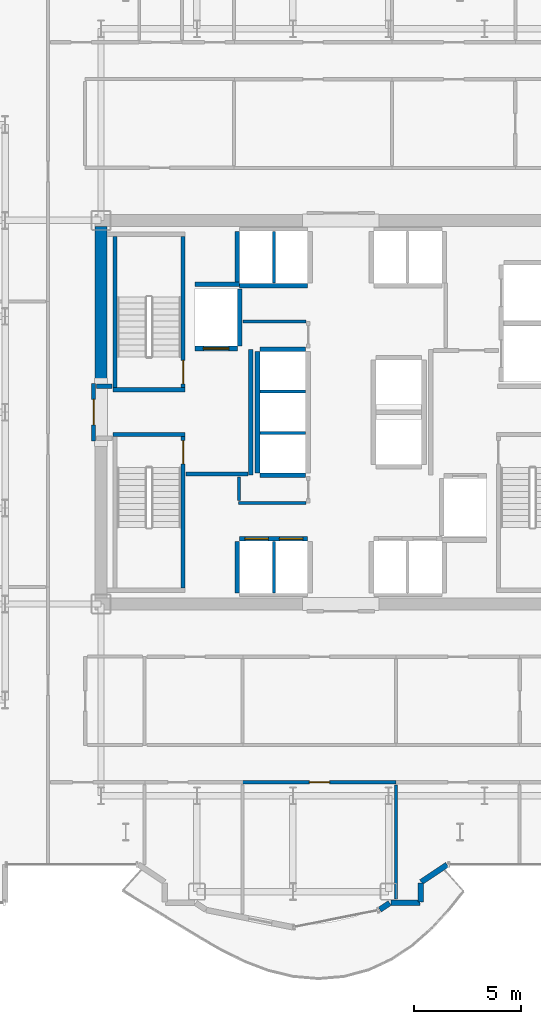
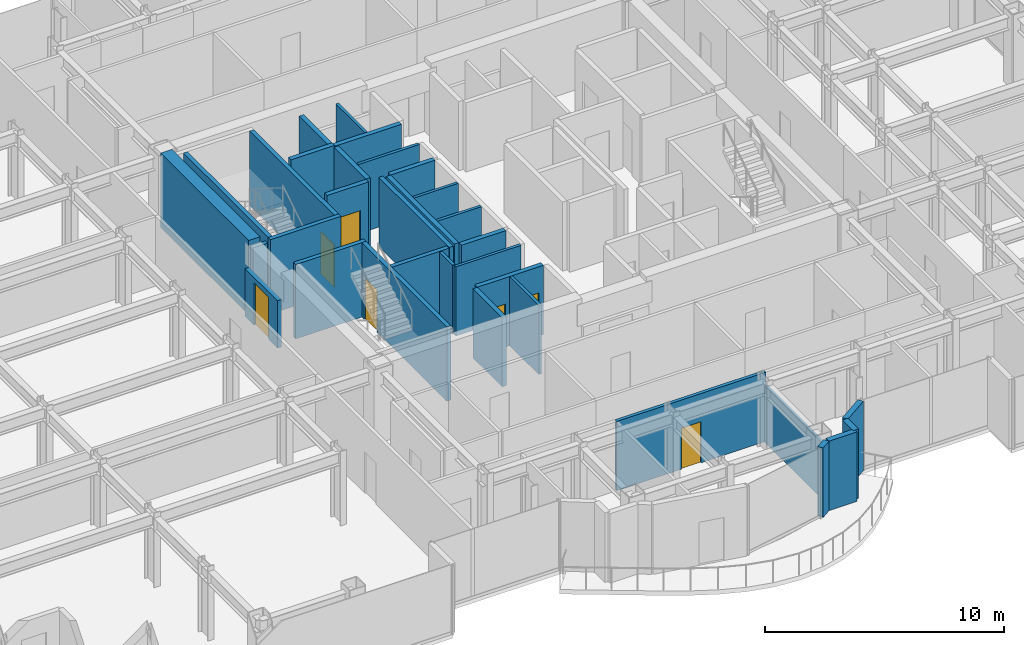
# One storey, part 20 of 27: 33 walls, 7 doors, 7 openings.
"""IFC4 building model written with IfcOpenShell, lengths in metres."""

from ifc_helpers import new_model, si_unit, direction, frame, frame_2d, origin, place, context, subcontext, project, spatial, rectangle, extrude, source, transform, mapped, material, layer, layer_set, type_object, element, fill, save


model = new_model("IFC4")

# Units and contexts
model_context = context("Model", 3, precision=1e-05, world=origin(), true_north=direction((0.0, 1.0)))
body_context = subcontext(model_context, "Body", "Model", "MODEL_VIEW")
ifc_project = project(units=[si_unit("LENGTHUNIT", "METRE"), si_unit("AREAUNIT", "SQUARE_METRE"), si_unit("VOLUMEUNIT", "CUBIC_METRE"), si_unit("PLANEANGLEUNIT", "RADIAN"), si_unit("MASSUNIT", "GRAM", prefix="KILO")], contexts=[model_context])

# Site, building, storey
site_placement = place(None, origin())
site = spatial("IfcSite", under=ifc_project, at=site_placement, CompositionType="ELEMENT")
building_placement = place(site_placement, origin())
building = spatial("IfcBuilding", under=site, at=building_placement, Name="Nefas-Gora Pilgrimage Tower", CompositionType="ELEMENT")
storey_placement = place(building_placement, frame((0.0, 0.0, 148.800048828125)))
storey = spatial("IfcBuildingStorey", under=building, at=storey_placement, Name="L36", CompositionType="ELEMENT", Elevation=148.800048828125)

# Walls
ifc_material_1 = material(Name="Concrete C60/75", Category="concrete")
ifc_layer_1 = layer(ifc_material_1, 0.550048828125)
ifc_layer_set_1 = layer_set([ifc_layer_1], Name="Concrete C60/75")
wall_type_1 = type_object("IfcWallType", Name="SW-CORE-550", PredefinedType="SHEAR", material=ifc_layer_set_1)
shared_shape_1 = source(origin(), body_context, "Body", "SweptSolid", [
    extrude(rectangle(XDim=7.375, YDim=0.550048828125, at=frame_2d((3.6875, 0.0))), origin(), (0.0, 0.0, 1.0), 3.800048828125),
])
wall_1_placement = place(storey_placement, frame((-11.25, 1.35009765625, 0.0), z_axis=(0.0, 0.0, 1.0), x_axis=(0.0, 1.0, 0.0)))
element("IfcWall", 1, at=wall_1_placement, inside=storey, type_object=wall_type_1, Name="L36 Core Shear Wall W-North", PredefinedType="SHEAR", context=body_context, shape_type="MappedRepresentation", body=[
    mapped(shared_shape_1, transform((0.0, 0.0, 0.0), x_axis=(1.0, 0.0, 0.0), y_axis=(0.0, 1.0, 0.0), z_axis=(0.0, 0.0, 1.0), scale=1.0)),
])
ifc_material_2 = material(Name="Precast concrete C40/50", Category="concrete")
ifc_layer_2 = layer(ifc_material_2, 0.260009765625)
ifc_layer_set_2 = layer_set([ifc_layer_2], Name="Precast concrete C40/50")
wall_type_2 = type_object("IfcWallType", Name="EW-PORTAL-260", PredefinedType="SOLIDWALL", material=ifc_layer_set_2)
shared_shape_2 = source(origin(), body_context, "Body", "SweptSolid", [
    extrude(rectangle(XDim=1.468994140625, YDim=0.260009765625, at=frame_2d((0.734375, 0.0))), origin(), (0.0, 0.0, 1.0), 3.550048828125),
])
wall_2_placement = place(storey_placement, frame((3.773193359375, -22.0517578125, 0.0), z_axis=(0.0, 0.0, 1.0), x_axis=(0.831461760506, 0.555581983884, 0.0)))
element("IfcWall", 2, at=wall_2_placement, inside=storey, type_object=wall_type_2, Name="L36 Lobe Shoulder Precast Spandrel Pier 42", PredefinedType="SOLIDWALL", context=body_context, shape_type="MappedRepresentation", body=[
    mapped(shared_shape_2, transform((0.0, 0.0, 0.0), x_axis=(1.0, 0.0, 0.0), y_axis=(0.0, 1.0, 0.0), z_axis=(0.0, 0.0, 1.0), scale=1.0)),
])
shared_shape_3 = source(origin(), body_context, "Body", "SweptSolid", [
    extrude(rectangle(XDim=0.896728515625, YDim=0.260009765625, at=frame_2d((0.4482421875, 0.0))), origin(), (0.0, 0.0, 1.0), 3.550048828125),
])
wall_3_placement = place(storey_placement, frame((3.75, -22.991943359375, 0.0), z_axis=(0.0, 0.0, 1.0), x_axis=(0.0, 1.0, 0.0)))
element("IfcWall", 3, at=wall_3_placement, inside=storey, type_object=wall_type_2, Name="L36 Lobe Shoulder Precast Spandrel Pier 41", PredefinedType="SOLIDWALL", context=body_context, shape_type="MappedRepresentation", body=[
    mapped(shared_shape_3, transform((0.0, 0.0, 0.0), x_axis=(1.0, 0.0, 0.0), y_axis=(0.0, 1.0, 0.0), z_axis=(0.0, 0.0, 1.0), scale=1.0)),
])
shared_shape_4 = source(origin(), body_context, "Body", "SweptSolid", [
    extrude(rectangle(XDim=1.369873046875, YDim=0.260009765625, at=frame_2d((0.68505859375, 0.0))), origin(), (0.0, 0.0, 1.0), 3.550048828125),
])
wall_4_placement = place(storey_placement, frame((2.35205078125, -23.02001953125, 0.0), z_axis=(0.0, 0.0, 1.0), x_axis=(1.0, 0.0, 0.0)))
element("IfcWall", 4, at=wall_4_placement, inside=storey, type_object=wall_type_2, Name="L36 Lobe Shoulder Precast Spandrel Pier 40", PredefinedType="SOLIDWALL", context=body_context, shape_type="MappedRepresentation", body=[
    mapped(shared_shape_4, transform((0.0, 0.0, 0.0), x_axis=(1.0, 0.0, 0.0), y_axis=(0.0, 1.0, 0.0), z_axis=(0.0, 0.0, 1.0), scale=1.0)),
])
shared_shape_5 = source(origin(), body_context, "Body", "SweptSolid", [
    extrude(rectangle(XDim=0.5654296875, YDim=0.260009765625, at=frame_2d((0.28271484375, 0.0))), origin(), (0.0, 0.0, 1.0), 3.550048828125),
])
wall_5_placement = place(storey_placement, frame((1.83056640625, -23.349609375, 0.0), z_axis=(0.0, 0.0, 1.0), x_axis=(0.831651492666, 0.555297933317, 0.0)))
element("IfcWall", 5, at=wall_5_placement, inside=storey, type_object=wall_type_2, Name="L36 Lobe Shoulder Precast Spandrel Pier 39", PredefinedType="SOLIDWALL", context=body_context, shape_type="MappedRepresentation", body=[
    mapped(shared_shape_5, transform((0.0, 0.0, 0.0), x_axis=(1.0, 0.0, 0.0), y_axis=(0.0, 1.0, 0.0), z_axis=(0.0, 0.0, 1.0), scale=1.0)),
])
ifc_material_3 = material(Name="Concrete C45/55", Category="concrete")
ifc_layer_3 = layer(ifc_material_3, 0.199951171875)
ifc_layer_set_3 = layer_set([ifc_layer_3], Name="Concrete C45/55")
wall_type_3 = type_object("IfcWallType", Name="IW-STAIR-200", PredefinedType="SOLIDWALL", material=ifc_layer_set_3)
shared_shape_6 = source(origin(), body_context, "Body", "SweptSolid", [
    extrude(rectangle(XDim=3.39990234375, YDim=0.199951171875, at=frame_2d((1.699951171875, 0.0))), origin(), (0.0, 0.0, 1.0), 3.800048828125),
])
for number, where, z_axis, x_axis, name in (
    (6, (-7.300048828125, 1.050048828125, 0.0), (0.0, 0.0, 1.0), (-1.0, 0.0, 0.0), "L36 Stairwell Shear Wall ST-01-near"),
    (7, (-10.699951171875, -1.050048828125, 0.0), (0.0, 0.0, 1.0), (1.0, 0.0, 0.0), "L36 Stairwell Shear Wall ST-03-near"),
):
    element("IfcWall", number, at=place(storey_placement, frame(where, z_axis=z_axis, x_axis=x_axis)), inside=storey, type_object=wall_type_3, Name=name, PredefinedType="SOLIDWALL", context=body_context, shape_type="MappedRepresentation", body=[
        mapped(shared_shape_6, transform((0.0, 0.0, 0.0), x_axis=(1.0, 0.0, 0.0), y_axis=(0.0, 1.0, 0.0), z_axis=(0.0, 0.0, 1.0), scale=1.0)),
    ])

# Wall, opening, door
shared_shape_7 = source(origin(), body_context, "Body", "SweptSolid", [
    extrude(rectangle(XDim=7.10009765625, YDim=0.199951171875, at=frame_2d((3.550048828125, 0.0))), origin(), (0.0, 0.0, 1.0), 3.800048828125),
])
wall_6_placement = place(storey_placement, frame((-7.39990234375, 1.14990234375, 0.0), z_axis=(0.0, 0.0, 1.0), x_axis=(0.0, 1.0, 0.0)))
wall_6 = element("IfcWall", 8, at=wall_6_placement, inside=storey, type_object=wall_type_3, Name="L36 Stairwell Shear Wall ST-01-left", PredefinedType="SOLIDWALL", context=body_context, shape_type="MappedRepresentation", body=[
    mapped(shared_shape_7, transform((0.0, 0.0, 0.0), x_axis=(1.0, 0.0, 0.0), y_axis=(0.0, 1.0, 0.0), z_axis=(0.0, 0.0, 1.0), scale=1.0)),
])
opening_1_placement = place(wall_6_placement, frame((0.179931640625, 0.0, 0.0)))
opening_1 = element("IfcOpeningElement", 9, at=opening_1_placement, cuts=wall_6, Name="Opening ID-ST1", PredefinedType="OPENING", context=body_context, shape_type="SweptSolid", body=[
    extrude(rectangle(XDim=1.10009765625, YDim=2.14990234375, at=frame_2d((0.550048828125, 1.074951171875))), frame((0.0, 0.10986328125, 0.0), z_axis=(0.0, -1.0, 0.0), x_axis=(1.0, 0.0, 0.0)), (0.0, 0.0, 1.0), 0.219970703125),
])
ifc_material_4 = material(Name="Painted galvanised steel fire stair door", Category="steel")
door_type_1 = type_object("IfcDoorType", Name="DR-INT-STAIR-1100", OperationType="NOTDEFINED", PredefinedType="DOOR", material=ifc_material_4)
shared_shape_8 = source(origin(), body_context, "Body", "SweptSolid", [
    extrude(rectangle(XDim=1.10009765625, YDim=2.14990234375, at=frame_2d((0.550048828125, 1.074951171875))), frame((0.0, 0.02490234375, 0.0), z_axis=(0.0, -1.0, 0.0), x_axis=(1.0, 0.0, 0.0)), (0.0, 0.0, 1.0), 0.050048828125),
])
door_1_placement = place(opening_1_placement, origin())
door_1 = element("IfcDoor", 10, at=door_1_placement, inside=storey, type_object=door_type_1, Name="L36 Protected Exit Stair Door ST-01", OperationType="SINGLE_SWING_RIGHT", OverallHeight=2.14990234375, OverallWidth=1.10009765625, PredefinedType="DOOR", context=body_context, shape_type="MappedRepresentation", body=[
    mapped(shared_shape_8, transform((0.0, 0.0, 0.0), x_axis=(1.0, 0.0, 0.0), y_axis=(0.0, 1.0, 0.0), z_axis=(0.0, 0.0, 1.0), scale=1.0)),
])
fill(opening_1, door_1)

# Wall
wall_7_placement = place(storey_placement, frame((-10.60009765625, 1.14990234375, 0.0), z_axis=(0.0, 0.0, 1.0), x_axis=(0.0, 1.0, 0.0)))
element("IfcWall", 11, at=wall_7_placement, inside=storey, type_object=wall_type_3, Name="L36 Stairwell Shear Wall ST-01-right", PredefinedType="SOLIDWALL", context=body_context, shape_type="MappedRepresentation", body=[
    mapped(shared_shape_7, transform((0.0, 0.0, 0.0), x_axis=(1.0, 0.0, 0.0), y_axis=(0.0, 1.0, 0.0), z_axis=(0.0, 0.0, 1.0), scale=1.0)),
])

# Wall, opening, door
wall_8_placement = place(storey_placement, frame((-7.39990234375, -1.14990234375, 0.0), z_axis=(0.0, 0.0, 1.0), x_axis=(0.0, -1.0, 0.0)))
wall_8 = element("IfcWall", 12, at=wall_8_placement, inside=storey, type_object=wall_type_3, Name="L36 Stairwell Shear Wall ST-03-right", PredefinedType="SOLIDWALL", context=body_context, shape_type="MappedRepresentation", body=[
    mapped(shared_shape_7, transform((0.0, 0.0, 0.0), x_axis=(1.0, 0.0, 0.0), y_axis=(0.0, 1.0, 0.0), z_axis=(0.0, 0.0, 1.0), scale=1.0)),
])
opening_2_placement = place(wall_8_placement, frame((0.179931640625, 0.0, 0.0)))
opening_2 = element("IfcOpeningElement", 13, at=opening_2_placement, cuts=wall_8, Name="Opening ID-ST1", PredefinedType="OPENING", context=body_context, shape_type="SweptSolid", body=[
    extrude(rectangle(XDim=1.10009765625, YDim=2.14990234375, at=frame_2d((0.550048828125, 1.074951171875))), frame((0.0, 0.10986328125, 0.0), z_axis=(0.0, -1.0, 0.0), x_axis=(1.0, 0.0, 0.0)), (0.0, 0.0, 1.0), 0.219970703125),
])
door_2_placement = place(opening_2_placement, origin())
door_2 = element("IfcDoor", 14, at=door_2_placement, inside=storey, type_object=door_type_1, Name="L36 Protected Exit Stair Door ST-03", OperationType="SINGLE_SWING_RIGHT", OverallHeight=2.14990234375, OverallWidth=1.10009765625, PredefinedType="DOOR", context=body_context, shape_type="MappedRepresentation", body=[
    mapped(shared_shape_8, transform((0.0, 0.0, 0.0), x_axis=(1.0, 0.0, 0.0), y_axis=(0.0, 1.0, 0.0), z_axis=(0.0, 0.0, 1.0), scale=1.0)),
])
fill(opening_2, door_2)

ifc_material_5 = material(Name="Concrete C40/50", Category="concrete")
ifc_layer_4 = layer(ifc_material_5, 0.219970703125)
ifc_layer_set_4 = layer_set([ifc_layer_4], Name="Concrete C40/50")
wall_type_4 = type_object("IfcWallType", Name="IW-SHAFT-220", PredefinedType="SOLIDWALL", material=ifc_layer_set_4)
shared_shape_9 = source(origin(), body_context, "Body", "SweptSolid", [
    extrude(rectangle(XDim=2.0, YDim=0.219970703125, at=frame_2d((1.0, 0.0))), origin(), (0.0, 0.0, 1.0), 3.534912109375),
])
wall_9_placement = place(storey_placement, frame((-6.85009765625, 2.989990234375, 0.0), z_axis=(0.0, 0.0, 1.0), x_axis=(1.0, 0.0, 0.0)))
wall_9 = element("IfcWall", 15, at=wall_9_placement, inside=storey, type_object=wall_type_4, Name="L36 Hoistway Wall FFL-01-S", PredefinedType="SOLIDWALL", context=body_context, shape_type="MappedRepresentation", body=[
    mapped(shared_shape_9, transform((0.0, 0.0, 0.0), x_axis=(1.0, 0.0, 0.0), y_axis=(0.0, 1.0, 0.0), z_axis=(0.0, 0.0, 1.0), scale=1.0)),
])
opening_3_placement = place(wall_9_placement, frame((0.39990234375, 0.0, 0.0)))
opening_3 = element("IfcOpeningElement", 16, at=opening_3_placement, cuts=wall_9, Name="Opening LD-FF", PredefinedType="OPENING", context=body_context, shape_type="SweptSolid", body=[
    extrude(rectangle(XDim=1.199951171875, YDim=2.199951171875, at=frame_2d((0.60009765625, 1.10009765625))), frame((0.0, 0.119873046875, 0.0), z_axis=(0.0, -1.0, 0.0), x_axis=(1.0, 0.0, 0.0)), (0.0, 0.0, 1.0), 0.239990234375),
])
ifc_material_6 = material(Name="Fire-service sliding lift landing door")
door_type_2 = type_object("IfcDoorType", Name="DR-LIFT-FSAE-1200", OperationType="SLIDING_TO_LEFT", PredefinedType="DOOR", material=ifc_material_6)
shared_shape_10 = source(origin(), body_context, "Body", "SweptSolid", [
    extrude(rectangle(XDim=1.199951171875, YDim=2.199951171875, at=frame_2d((0.60009765625, 1.10009765625))), frame((0.0, 0.02490234375, 0.0), z_axis=(0.0, -1.0, 0.0), x_axis=(1.0, 0.0, 0.0)), (0.0, 0.0, 1.0), 0.050048828125),
])
door_3_placement = place(opening_3_placement, origin())
door_3 = element("IfcDoor", 17, at=door_3_placement, inside=storey, type_object=door_type_2, Name="L36 Sliding Lift Landing Door FFL-01", OperationType="SLIDING_TO_LEFT", OverallHeight=2.199951171875, OverallWidth=1.199951171875, PredefinedType="DOOR", context=body_context, shape_type="MappedRepresentation", body=[
    mapped(shared_shape_10, transform((0.0, 0.0, 0.0), x_axis=(1.0, 0.0, 0.0), y_axis=(0.0, 1.0, 0.0), z_axis=(0.0, 0.0, 1.0), scale=1.0)),
])
fill(opening_3, door_3)

# Walls
shared_shape_11 = source(origin(), body_context, "Body", "SweptSolid", [
    extrude(rectangle(XDim=2.679931640625, YDim=0.219970703125, at=frame_2d((1.33984375, 0.0))), origin(), (0.0, 0.0, 1.0), 3.534912109375),
])
wall_10_placement = place(storey_placement, frame((-4.739990234375, 3.110107421875, 0.0), z_axis=(0.0, 0.0, 1.0), x_axis=(0.0, 1.0, 0.0)))
element("IfcWall", 18, at=wall_10_placement, inside=storey, type_object=wall_type_4, Name="L36 Hoistway Wall FFL-01-E", PredefinedType="SOLIDWALL", context=body_context, shape_type="MappedRepresentation", body=[
    mapped(shared_shape_11, transform((0.0, 0.0, 0.0), x_axis=(1.0, 0.0, 0.0), y_axis=(0.0, 1.0, 0.0), z_axis=(0.0, 0.0, 1.0), scale=1.0)),
])
shared_shape_12 = source(origin(), body_context, "Body", "SweptSolid", [
    extrude(rectangle(XDim=3.199951171875, YDim=0.219970703125, at=frame_2d((1.60009765625, 0.0))), origin(), (0.0, 0.0, 1.0), 3.534912109375),
])
wall_11_placement = place(storey_placement, frame((-4.75, 5.93994140625, 0.0), z_axis=(0.0, 0.0, 1.0), x_axis=(1.0, 0.0, 0.0)))
element("IfcWall", 19, at=wall_11_placement, inside=storey, type_object=wall_type_4, Name="L36 Hoistway Wall PL1-W-S", PredefinedType="SOLIDWALL", context=body_context, shape_type="MappedRepresentation", body=[
    mapped(shared_shape_12, transform((0.0, 0.0, 0.0), x_axis=(1.0, 0.0, 0.0), y_axis=(0.0, 1.0, 0.0), z_axis=(0.0, 0.0, 1.0), scale=1.0)),
])

# Wall, openings, doors
wall_12_placement = place(storey_placement, frame((-1.550048828125, -5.93994140625, 0.0), z_axis=(0.0, 0.0, 1.0), x_axis=(-1.0, 0.0, 0.0)))
wall_12 = element("IfcWall", 20, at=wall_12_placement, inside=storey, type_object=wall_type_4, Name="L36 Hoistway Wall PL2-W-N", PredefinedType="SOLIDWALL", context=body_context, shape_type="MappedRepresentation", body=[
    mapped(shared_shape_12, transform((0.0, 0.0, 0.0), x_axis=(1.0, 0.0, 0.0), y_axis=(0.0, 1.0, 0.0), z_axis=(0.0, 0.0, 1.0), scale=1.0)),
])
opening_4_placement = place(wall_12_placement, frame((1.85009765625, 0.0, 0.0)))
opening_4 = element("IfcOpeningElement", 21, at=opening_4_placement, cuts=wall_12, Name="Opening LD-01", PredefinedType="OPENING", context=body_context, shape_type="SweptSolid", body=[
    extrude(rectangle(XDim=1.10009765625, YDim=2.199951171875, at=frame_2d((0.550048828125, 1.10009765625))), frame((0.0, 0.119873046875, 0.0), z_axis=(0.0, -1.0, 0.0), x_axis=(1.0, 0.0, 0.0)), (0.0, 0.0, 1.0), 0.239990234375),
])
opening_5_placement = place(wall_12_placement, frame((0.22509765625, 0.0, 0.0)))
opening_5 = element("IfcOpeningElement", 22, at=opening_5_placement, cuts=wall_12, Name="Opening LD-01", PredefinedType="OPENING", context=body_context, shape_type="SweptSolid", body=[
    extrude(rectangle(XDim=1.10009765625, YDim=2.199951171875, at=frame_2d((0.550048828125, 1.10009765625))), frame((0.0, 0.119873046875, 0.0), z_axis=(0.0, -1.0, 0.0), x_axis=(1.0, 0.0, 0.0)), (0.0, 0.0, 1.0), 0.239990234375),
])
ifc_material_7 = material(Name="Brushed stainless sliding lift landing door")
door_type_3 = type_object("IfcDoorType", Name="DR-LIFT-PASS-1100", OperationType="DOUBLE_DOOR_SLIDING", PredefinedType="DOOR", material=ifc_material_7)
shared_shape_13 = source(origin(), body_context, "Body", "SweptSolid", [
    extrude(rectangle(XDim=1.10009765625, YDim=2.199951171875, at=frame_2d((0.550048828125, 1.10009765625))), frame((0.0, 0.02490234375, 0.0), z_axis=(0.0, -1.0, 0.0), x_axis=(1.0, 0.0, 0.0)), (0.0, 0.0, 1.0), 0.050048828125),
])
door_4_placement = place(opening_4_placement, origin())
door_4 = element("IfcDoor", 23, at=door_4_placement, inside=storey, type_object=door_type_3, Name="L36 Sliding Lift Landing Door PL2-01", OperationType="DOUBLE_DOOR_SLIDING", OverallHeight=2.199951171875, OverallWidth=1.10009765625, PredefinedType="DOOR", context=body_context, shape_type="MappedRepresentation", body=[
    mapped(shared_shape_13, transform((0.0, 0.0, 0.0), x_axis=(1.0, 0.0, 0.0), y_axis=(0.0, 1.0, 0.0), z_axis=(0.0, 0.0, 1.0), scale=1.0)),
])
fill(opening_4, door_4)
door_5_placement = place(opening_5_placement, origin())
door_5 = element("IfcDoor", 24, at=door_5_placement, inside=storey, type_object=door_type_3, Name="L36 Sliding Lift Landing Door PL2-02", OperationType="DOUBLE_DOOR_SLIDING", OverallHeight=2.199951171875, OverallWidth=1.10009765625, PredefinedType="DOOR", context=body_context, shape_type="MappedRepresentation", body=[
    mapped(shared_shape_13, transform((0.0, 0.0, 0.0), x_axis=(1.0, 0.0, 0.0), y_axis=(0.0, 1.0, 0.0), z_axis=(0.0, 0.0, 1.0), scale=1.0)),
])
fill(opening_5, door_5)

# Walls
shared_shape_14 = source(origin(), body_context, "Body", "SweptSolid", [
    extrude(rectangle(XDim=2.429931640625, YDim=0.219970703125, at=frame_2d((1.21484375, 0.0))), origin(), (0.0, 0.0, 1.0), 3.534912109375),
])
for number, where, z_axis, x_axis, name in (
    (25, (-4.860107421875, 8.489990234375, 0.0), (0.0, 0.0, 1.0), (0.0, -1.0, 0.0), "L36 Hoistway Wall PL1-W-W"),
    (26, (-4.860107421875, -6.06005859375, 0.0), (0.0, 0.0, 1.0), (0.0, -1.0, 0.0), "L36 Hoistway Wall PL2-W-W"),
):
    element("IfcWall", number, at=place(storey_placement, frame(where, z_axis=z_axis, x_axis=x_axis)), inside=storey, type_object=wall_type_4, Name=name, PredefinedType="SOLIDWALL", context=body_context, shape_type="MappedRepresentation", body=[
        mapped(shared_shape_14, transform((0.0, 0.0, 0.0), x_axis=(1.0, 0.0, 0.0), y_axis=(0.0, 1.0, 0.0), z_axis=(0.0, 0.0, 1.0), scale=1.0)),
    ])
ifc_material_8 = material(Name="Gypsum twin-stud partition")
ifc_layer_5 = layer(ifc_material_8, 0.139892578125)
ifc_layer_set_5 = layer_set([ifc_layer_5], Name="Gypsum twin-stud partition")
wall_type_5 = type_object("IfcWallType", Name="IW-UNIT-140", PredefinedType="PARTITIONING", material=ifc_layer_set_5)
shared_shape_15 = source(origin(), body_context, "Body", "SweptSolid", [
    extrude(rectangle(XDim=2.429931640625, YDim=0.139892578125, at=frame_2d((1.21484375, 0.0))), origin(), (0.0, 0.0, 1.0), 3.534912109375),
])
for number, where, z_axis, x_axis, name in (
    (27, (-3.125, 6.06005859375, 0.0), (0.0, 0.0, 1.0), (0.0, 1.0, 0.0), "L36 Hoistway Wall PL1-W-DIV"),
    (28, (-3.125, -8.489990234375, 0.0), (0.0, 0.0, 1.0), (0.0, 1.0, 0.0), "L36 Hoistway Wall PL2-W-DIV"),
):
    element("IfcWall", number, at=place(storey_placement, frame(where, z_axis=z_axis, x_axis=x_axis)), inside=storey, type_object=wall_type_5, Name=name, PredefinedType="PARTITIONING", context=body_context, shape_type="MappedRepresentation", body=[
        mapped(shared_shape_15, transform((0.0, 0.0, 0.0), x_axis=(1.0, 0.0, 0.0), y_axis=(0.0, 1.0, 0.0), z_axis=(0.0, 0.0, 1.0), scale=1.0)),
    ])
shared_shape_16 = source(origin(), body_context, "Body", "SweptSolid", [
    extrude(rectangle(XDim=5.7001953125, YDim=0.219970703125, at=frame_2d((2.85009765625, 0.0))), origin(), (0.0, 0.0, 1.0), 3.534912109375),
])
wall_13_placement = place(storey_placement, frame((-3.909912109375, 2.85009765625, 0.0), z_axis=(0.0, 0.0, 1.0), x_axis=(0.0, -1.0, 0.0)))
element("IfcWall", 29, at=wall_13_placement, inside=storey, type_object=wall_type_4, Name="L36 Hoistway Wall PL3-01-03-W", PredefinedType="SOLIDWALL", context=body_context, shape_type="MappedRepresentation", body=[
    mapped(shared_shape_16, transform((0.0, 0.0, 0.0), x_axis=(1.0, 0.0, 0.0), y_axis=(0.0, 1.0, 0.0), z_axis=(0.0, 0.0, 1.0), scale=1.0)),
])
shared_shape_17 = source(origin(), body_context, "Body", "SweptSolid", [
    extrude(rectangle(XDim=2.130126953125, YDim=0.219970703125, at=frame_2d((1.06494140625, 0.0))), origin(), (0.0, 0.0, 1.0), 3.534912109375),
])
for number, where, z_axis, x_axis, name in (
    (30, (-3.7900390625, -2.9599609375, 0.0), (0.0, 0.0, 1.0), (1.0, 0.0, 0.0), "L36 Hoistway Wall PL3-01-S"),
    (31, (-1.659912109375, 2.9599609375, 0.0), (0.0, 0.0, 1.0), (-1.0, 0.0, 0.0), "L36 Hoistway Wall PL3-03-N"),
):
    element("IfcWall", number, at=place(storey_placement, frame(where, z_axis=z_axis, x_axis=x_axis)), inside=storey, type_object=wall_type_4, Name=name, PredefinedType="SOLIDWALL", context=body_context, shape_type="MappedRepresentation", body=[
        mapped(shared_shape_17, transform((0.0, 0.0, 0.0), x_axis=(1.0, 0.0, 0.0), y_axis=(0.0, 1.0, 0.0), z_axis=(0.0, 0.0, 1.0), scale=1.0)),
    ])
shared_shape_18 = source(origin(), body_context, "Body", "SweptSolid", [
    extrude(rectangle(XDim=2.130126953125, YDim=0.139892578125, at=frame_2d((1.06494140625, 0.0))), origin(), (0.0, 0.0, 1.0), 3.534912109375),
])
for number, where, z_axis, x_axis, name in (
    (32, (-3.7900390625, -0.97509765625, 0.0), (0.0, 0.0, 1.0), (1.0, 0.0, 0.0), "L36 Hoistway Wall PL3-01-02-DIV"),
    (33, (-3.7900390625, 0.97509765625, 0.0), (0.0, 0.0, 1.0), (1.0, 0.0, 0.0), "L36 Hoistway Wall PL3-02-03-DIV"),
):
    element("IfcWall", number, at=place(storey_placement, frame(where, z_axis=z_axis, x_axis=x_axis)), inside=storey, type_object=wall_type_5, Name=name, PredefinedType="PARTITIONING", context=body_context, shape_type="MappedRepresentation", body=[
        mapped(shared_shape_18, transform((0.0, 0.0, 0.0), x_axis=(1.0, 0.0, 0.0), y_axis=(0.0, 1.0, 0.0), z_axis=(0.0, 0.0, 1.0), scale=1.0)),
    ])
shared_shape_19 = source(origin(), body_context, "Body", "SweptSolid", [
    extrude(rectangle(XDim=2.09521484375, YDim=0.219970703125, at=frame_2d((1.047607421875, 0.0))), origin(), (0.0, 0.0, 1.0), 3.534912109375),
])
wall_14_placement = place(storey_placement, frame((-6.85009765625, 6.0, 0.0), z_axis=(0.0, 0.0, 1.0), x_axis=(1.0, 0.0, 0.0)))
element("IfcWall", 34, at=wall_14_placement, inside=storey, type_object=wall_type_4, Name="L36 Riser Shaft Wall 1", PredefinedType="SOLIDWALL", context=body_context, shape_type="MappedRepresentation", body=[
    mapped(shared_shape_19, transform((0.0, 0.0, 0.0), x_axis=(1.0, 0.0, 0.0), y_axis=(0.0, 1.0, 0.0), z_axis=(0.0, 0.0, 1.0), scale=1.0)),
])

# Wall, opening, door
ifc_material_9 = material(Name="Gypsum fire-rated shaftwall")
ifc_layer_6 = layer(ifc_material_9, 0.199951171875)
ifc_layer_set_6 = layer_set([ifc_layer_6], Name="Gypsum fire-rated shaftwall")
wall_type_6 = type_object("IfcWallType", Name="IW-FFLOB-200", PredefinedType="PARTITIONING", material=ifc_layer_set_6)
shared_shape_20 = source(origin(), body_context, "Body", "SweptSolid", [
    extrude(rectangle(XDim=2.7001953125, YDim=0.199951171875, at=frame_2d((1.35009765625, 0.0))), origin(), (0.0, 0.0, 1.0), 2.425048828125),
])
wall_15_placement = place(storey_placement, frame((-11.60009765625, -1.35009765625, 0.0), z_axis=(0.0, 0.0, 1.0), x_axis=(0.0, 1.0, 0.0)))
wall_15 = element("IfcWall", 35, at=wall_15_placement, inside=storey, type_object=wall_type_6, Name="L36 FF Lobby West Portal Wall 3", PredefinedType="PARTITIONING", context=body_context, shape_type="MappedRepresentation", body=[
    mapped(shared_shape_20, transform((0.0, 0.0, 0.0), x_axis=(1.0, 0.0, 0.0), y_axis=(0.0, 1.0, 0.0), z_axis=(0.0, 0.0, 1.0), scale=1.0)),
])
opening_6_placement = place(wall_15_placement, frame((0.75, 0.0, 0.0)))
opening_6 = element("IfcOpeningElement", 36, at=opening_6_placement, cuts=wall_15, Name="Opening ID-FF1", PredefinedType="OPENING", context=body_context, shape_type="SweptSolid", body=[
    extrude(rectangle(XDim=1.199951171875, YDim=2.14990234375, at=frame_2d((0.60009765625, 1.074951171875))), frame((0.0, 0.10986328125, 0.0), z_axis=(0.0, -1.0, 0.0), x_axis=(1.0, 0.0, 0.0)), (0.0, 0.0, 1.0), 0.219970703125),
])
ifc_material_10 = material(Name="Smoke-sealed steel firefighting lobby door", Category="steel")
door_type_4 = type_object("IfcDoorType", Name="DR-INT-FFLOB-1200", OperationType="NOTDEFINED", PredefinedType="DOOR", material=ifc_material_10)
shared_shape_21 = source(origin(), body_context, "Body", "SweptSolid", [
    extrude(rectangle(XDim=1.199951171875, YDim=2.14990234375, at=frame_2d((0.60009765625, 1.074951171875))), frame((0.0, 0.02490234375, 0.0), z_axis=(0.0, -1.0, 0.0), x_axis=(1.0, 0.0, 0.0)), (0.0, 0.0, 1.0), 0.050048828125),
])
door_6_placement = place(opening_6_placement, origin())
door_6 = element("IfcDoor", 37, at=door_6_placement, inside=storey, type_object=door_type_4, Name="L36 FF Lobby West Portal Door 1", OperationType="SINGLE_SWING_LEFT", OverallHeight=2.14990234375, OverallWidth=1.199951171875, PredefinedType="DOOR", context=body_context, shape_type="MappedRepresentation", body=[
    mapped(shared_shape_21, transform((0.0, 0.0, 0.0), x_axis=(1.0, 0.0, 0.0), y_axis=(0.0, 1.0, 0.0), z_axis=(0.0, 0.0, 1.0), scale=1.0)),
])
fill(opening_6, door_6)

# Walls
shared_shape_22 = source(origin(), body_context, "Body", "SweptSolid", [
    extrude(rectangle(XDim=5.89990234375, YDim=0.199951171875, at=frame_2d((2.949951171875, 0.0))), origin(), (0.0, 0.0, 1.0), 3.534912109375),
])
wall_16_placement = place(storey_placement, frame((-4.219970703125, -2.949951171875, 0.0), z_axis=(0.0, 0.0, 1.0), x_axis=(0.0, 1.0, 0.0)))
element("IfcWall", 38, at=wall_16_placement, inside=storey, type_object=wall_type_6, Name="L36 FF Lobby West Inner Wall Wall 4", PredefinedType="PARTITIONING", context=body_context, shape_type="MappedRepresentation", body=[
    mapped(shared_shape_22, transform((0.0, 0.0, 0.0), x_axis=(1.0, 0.0, 0.0), y_axis=(0.0, 1.0, 0.0), z_axis=(0.0, 0.0, 1.0), scale=1.0)),
])
shared_shape_23 = source(origin(), body_context, "Body", "SweptSolid", [
    extrude(rectangle(XDim=2.89990234375, YDim=0.199951171875, at=frame_2d((1.449951171875, 0.0))), origin(), (0.0, 0.0, 1.0), 3.534912109375),
])
wall_17_placement = place(storey_placement, frame((-7.260009765625, -2.89990234375, 0.0), z_axis=(0.0, 0.0, 1.0), x_axis=(1.0, 0.0, 0.0)))
element("IfcWall", 39, at=wall_17_placement, inside=storey, type_object=wall_type_6, Name="L36 FF Lobby West South Wall Wall 5", PredefinedType="PARTITIONING", context=body_context, shape_type="MappedRepresentation", body=[
    mapped(shared_shape_23, transform((0.0, 0.0, 0.0), x_axis=(1.0, 0.0, 0.0), y_axis=(0.0, 1.0, 0.0), z_axis=(0.0, 0.0, 1.0), scale=1.0)),
])
shared_shape_24 = source(origin(), body_context, "Body", "SweptSolid", [
    extrude(rectangle(XDim=0.719970703125, YDim=0.199951171875, at=frame_2d((0.35986328125, 0.0))), origin(), (0.0, 0.0, 1.0), 3.534912109375),
])
wall_18_placement = place(storey_placement, frame((-11.4599609375, 1.219970703125, 0.0), z_axis=(0.0, 0.0, 1.0), x_axis=(1.0, 0.0, 0.0)))
element("IfcWall", 40, at=wall_18_placement, inside=storey, type_object=wall_type_6, Name="L36 FF Lobby West Throat N Wall 6", PredefinedType="PARTITIONING", context=body_context, shape_type="MappedRepresentation", body=[
    mapped(shared_shape_24, transform((0.0, 0.0, 0.0), x_axis=(1.0, 0.0, 0.0), y_axis=(0.0, 1.0, 0.0), z_axis=(0.0, 0.0, 1.0), scale=1.0)),
])
shared_shape_25 = source(origin(), body_context, "Body", "SweptSolid", [
    extrude(rectangle(XDim=2.9501953125, YDim=0.139892578125, at=frame_2d((1.47509765625, 0.0))), origin(), (0.0, 0.0, 1.0), 3.534912109375),
])
wall_19_placement = place(storey_placement, frame((-4.590087890625, 4.25, 0.0), z_axis=(0.0, 0.0, 1.0), x_axis=(1.0, 0.0, 0.0)))
element("IfcWall", 41, at=wall_19_placement, inside=storey, type_object=wall_type_5, Name="L36 Housekeeping and Linen Store Partition Wall 17", PredefinedType="PARTITIONING", context=body_context, shape_type="MappedRepresentation", body=[
    mapped(shared_shape_25, transform((0.0, 0.0, 0.0), x_axis=(1.0, 0.0, 0.0), y_axis=(0.0, 1.0, 0.0), z_axis=(0.0, 0.0, 1.0), scale=1.0)),
])
shared_shape_26 = source(origin(), body_context, "Body", "SweptSolid", [
    extrude(rectangle(XDim=3.150146484375, YDim=0.139892578125, at=frame_2d((1.5751953125, 0.0))), origin(), (0.0, 0.0, 1.0), 3.534912109375),
])
wall_20_placement = place(storey_placement, frame((-4.7900390625, -4.25, 0.0), z_axis=(0.0, 0.0, 1.0), x_axis=(1.0, 0.0, 0.0)))
element("IfcWall", 42, at=wall_20_placement, inside=storey, type_object=wall_type_5, Name="L36 Pilgrim Baggage and Gear Vault Partition Wall 19", PredefinedType="PARTITIONING", context=body_context, shape_type="MappedRepresentation", body=[
    mapped(shared_shape_26, transform((0.0, 0.0, 0.0), x_axis=(1.0, 0.0, 0.0), y_axis=(0.0, 1.0, 0.0), z_axis=(0.0, 0.0, 1.0), scale=1.0)),
])
shared_shape_27 = source(origin(), body_context, "Body", "SweptSolid", [
    extrude(rectangle(XDim=1.099853515625, YDim=0.139892578125, at=frame_2d((0.5498046875, 0.0))), origin(), (0.0, 0.0, 1.0), 3.534912109375),
])
wall_21_placement = place(storey_placement, frame((-4.780029296875, -4.139892578125, 0.0), z_axis=(0.0, 0.0, 1.0), x_axis=(0.0, 1.0, 0.0)))
element("IfcWall", 43, at=wall_21_placement, inside=storey, type_object=wall_type_5, Name="L36 Pilgrim Baggage and Gear Vault Partition Wall 20", PredefinedType="PARTITIONING", context=body_context, shape_type="MappedRepresentation", body=[
    mapped(shared_shape_27, transform((0.0, 0.0, 0.0), x_axis=(1.0, 0.0, 0.0), y_axis=(0.0, 1.0, 0.0), z_axis=(0.0, 0.0, 1.0), scale=1.0)),
])
shared_shape_28 = source(origin(), body_context, "Body", "SweptSolid", [
    extrude(rectangle(XDim=5.360107421875, YDim=0.139892578125, at=frame_2d((2.68017578125, 0.0))), origin(), (0.0, 0.0, 1.0), 2.875),
])
wall_22_placement = place(storey_placement, frame((2.594970703125, -22.85009765625, 0.0), z_axis=(0.0, 0.0, 1.0), x_axis=(0.0, 1.0, 0.0)))
element("IfcWall", 44, at=wall_22_placement, inside=storey, type_object=wall_type_5, Name="L36 Pilgrim Contemplative Lounge Partition Wall 75", PredefinedType="PARTITIONING", context=body_context, shape_type="MappedRepresentation", body=[
    mapped(shared_shape_28, transform((0.0, 0.0, 0.0), x_axis=(1.0, 0.0, 0.0), y_axis=(0.0, 1.0, 0.0), z_axis=(0.0, 0.0, 1.0), scale=1.0)),
])

# Wall, opening, door
ifc_material_11 = material(Name="Gypsum acoustic stud partition")
ifc_layer_7 = layer(ifc_material_11, 0.159912109375)
ifc_layer_set_7 = layer_set([ifc_layer_7], Name="Gypsum acoustic stud partition")
wall_type_7 = type_object("IfcWallType", Name="IW-CORR-160", PredefinedType="PARTITIONING", material=ifc_layer_set_7)
shared_shape_29 = source(origin(), body_context, "Body", "SweptSolid", [
    extrude(rectangle(XDim=7.2099609375, YDim=0.159912109375, at=frame_2d((3.60498046875, 0.0))), origin(), (0.0, 0.0, 1.0), 3.534912109375),
])
wall_23_placement = place(storey_placement, frame((-4.60498046875, -17.3701171875, 0.0), z_axis=(0.0, 0.0, 1.0), x_axis=(1.0, 0.0, 0.0)))
wall_23 = element("IfcWall", 45, at=wall_23_placement, inside=storey, type_object=wall_type_7, Name="L36 Pilgrim Contemplative Lounge Partition Wall 74", PredefinedType="PARTITIONING", context=body_context, shape_type="MappedRepresentation", body=[
    mapped(shared_shape_29, transform((0.0, 0.0, 0.0), x_axis=(1.0, 0.0, 0.0), y_axis=(0.0, 1.0, 0.0), z_axis=(0.0, 0.0, 1.0), scale=1.0)),
])
opening_7_placement = place(wall_23_placement, frame((3.1298828125, 0.0, 0.0)))
opening_7 = element("IfcOpeningElement", 46, at=opening_7_placement, cuts=wall_23, Name="Opening ID-GR1", PredefinedType="OPENING", context=body_context, shape_type="SweptSolid", body=[
    extrude(rectangle(XDim=0.949951171875, YDim=2.10009765625, at=frame_2d((0.47509765625, 1.050048828125))), frame((0.0, 0.08984375, 0.0), z_axis=(0.0, -1.0, 0.0), x_axis=(1.0, 0.0, 0.0)), (0.0, 0.0, 1.0), 0.179931640625),
])
ifc_material_12 = material(Name="Solid core oak fire-rated guest entrance door")
door_type_5 = type_object("IfcDoorType", Name="DR-INT-GUEST-950", OperationType="NOTDEFINED", PredefinedType="DOOR", material=ifc_material_12)
shared_shape_30 = source(origin(), body_context, "Body", "SweptSolid", [
    extrude(rectangle(XDim=0.949951171875, YDim=2.10009765625, at=frame_2d((0.47509765625, 1.050048828125))), frame((0.0, 0.02490234375, 0.0), z_axis=(0.0, -1.0, 0.0), x_axis=(1.0, 0.0, 0.0)), (0.0, 0.0, 1.0), 0.050048828125),
])
door_7_placement = place(opening_7_placement, origin())
door_7 = element("IfcDoor", 47, at=door_7_placement, inside=storey, type_object=door_type_5, Name="L36 Pilgrim Contemplative Lounge Door 32", OperationType="SINGLE_SWING_RIGHT", OverallHeight=2.10009765625, OverallWidth=0.949951171875, PredefinedType="DOOR", context=body_context, shape_type="MappedRepresentation", body=[
    mapped(shared_shape_30, transform((0.0, 0.0, 0.0), x_axis=(1.0, 0.0, 0.0), y_axis=(0.0, 1.0, 0.0), z_axis=(0.0, 0.0, 1.0), scale=1.0)),
])
fill(opening_7, door_7)

save(model, "model.ifc")
